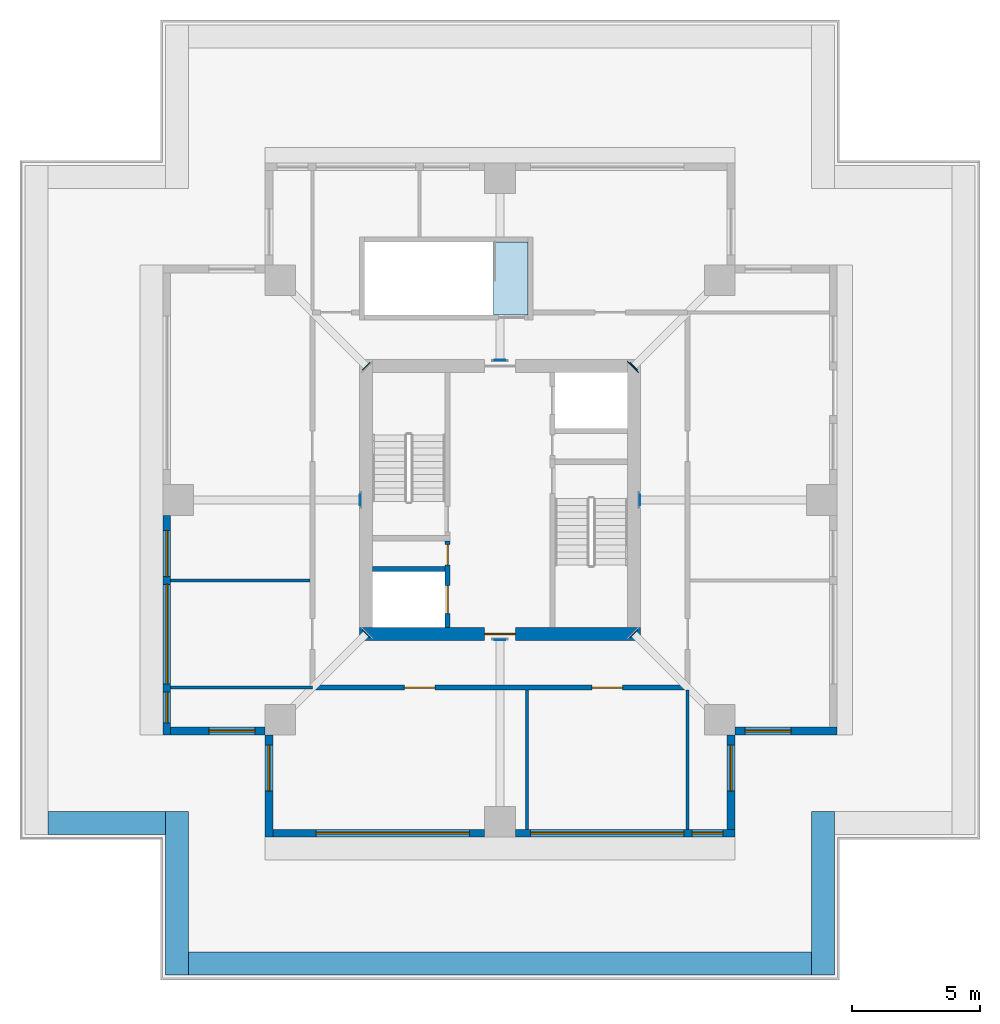
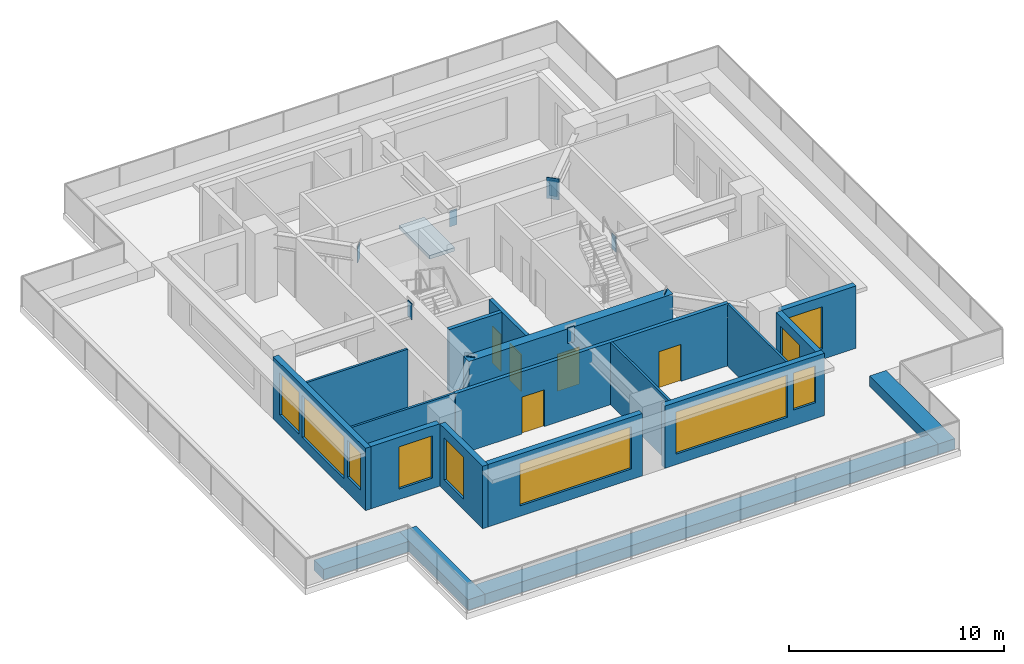
# One storey, part 3 of 8: 19 walls, 10 windows, 9 plates, 5 doors, 1 slab, 15 openings.
"""IFC4 building model written with IfcOpenShell, lengths in metres."""

from ifc_helpers import new_model, si_unit, direction, frame, frame_2d, origin, origin_2d, place, context, subcontext, project, spatial, polyline, rectangle, outline, extrude, material, layer, layer_set, type_object, element, fill, save


model = new_model("IFC4")

# Units and contexts
model_context = context("Model", 3, precision=1e-05, world=origin(), true_north=direction((0.0, 1.0)))
body_context = subcontext(model_context, "Body", "Model", "MODEL_VIEW")
ifc_project = project(units=[si_unit("LENGTHUNIT", "METRE"), si_unit("AREAUNIT", "SQUARE_METRE"), si_unit("VOLUMEUNIT", "CUBIC_METRE"), si_unit("PLANEANGLEUNIT", "RADIAN"), si_unit("MASSUNIT", "GRAM", prefix="KILO")], contexts=[model_context])

# Site, building, storey
site_placement = place(None, origin())
site = spatial("IfcSite", under=ifc_project, at=site_placement, CompositionType="ELEMENT")
building_placement = place(site_placement, origin())
building = spatial("IfcBuilding", under=site, at=building_placement, Name="Khepri Terraces", CompositionType="ELEMENT")
storey_placement = place(building_placement, frame((0.0, 0.0, 312.300048828125)))
storey = spatial("IfcBuildingStorey", under=building, at=storey_placement, Name="L75", CompositionType="ELEMENT", Elevation=312.300048828125)

# Plates
ifc_material_1 = material(Name="Steel S355", Category="steel")
ifc_layer_1 = layer(ifc_material_1, 0.030029296875, Name="Steel S355", Category="steel")
ifc_layer_set_1 = layer_set([ifc_layer_1], Name="Steel S355")
plate_type_1 = type_object("IfcPlateType", Name="Cast-in plate 1200x600x30", PredefinedType="USERDEFINED", material=ifc_layer_set_1)
plate_placement = place(storey_placement, frame((5.214599609375, 5.214599609375, 2.5498046875), z_axis=(0.0, 0.0, 1.0), x_axis=(0.707106781187, 0.707106781187, 0.0)))
element("IfcPlate", 1, at=plate_placement, inside=storey, type_object=plate_type_1, Name="CAST-IN PLATE CG-L75-EN MID wall A", ObjectType="CAST-IN PLATE", PredefinedType="USERDEFINED", context=body_context, shape_type="SweptSolid", body=[
    extrude(rectangle(XDim=0.030029296875, YDim=0.60009765625, at=origin_2d()), origin(), (0.0, 0.0, 1.0), 1.199951171875),
])
ifc_layer_2 = layer(ifc_material_1, 0.034912109375, Name="Steel S355", Category="steel")
ifc_layer_set_2 = layer_set([ifc_layer_2], Name="Steel S355")
plate_type_2 = type_object("IfcPlateType", Name="End plate 900x400x35", PredefinedType="USERDEFINED", material=ifc_layer_set_2)
for number, where, z_axis, x_axis, name in (
    (2, (0.0, -5.482421875, 2.699951171875), (0.0, 0.0, 1.0), (0.0, -1.0, 0.0), "END PLATE CG-L75-S MID end A"),
    (3, (5.482421875, 0.0, 2.699951171875), (0.0, 0.0, 1.0), (1.0, 0.0, 0.0), "END PLATE CG-L75-E MID end A"),
    (4, (0.0, 5.482421875, 2.699951171875), (0.0, 0.0, 1.0), (0.0, 1.0, 0.0), "END PLATE CG-L75-N MID end A"),
    (5, (-5.482421875, 0.0, 2.699951171875), (0.0, 0.0, 1.0), (-1.0, 0.0, 0.0), "END PLATE CG-L75-W MID end A"),
    (6, (5.237548828125, 5.237548828125, 2.699951171875), (0.0, 0.0, 1.0), (0.707106781187, 0.707106781187, 0.0), "END PLATE CG-L75-EN MID end A"),
    (7, (5.237548828125, -5.237548828125, 2.699951171875), (0.0, 0.0, 1.0), (0.707106781187, -0.707106781187, 0.0), "END PLATE CG-L75-ES MID end A"),
    (8, (-5.237548828125, 5.237548828125, 2.699951171875), (0.0, 0.0, 1.0), (-0.707106781187, 0.707106781187, 0.0), "END PLATE CG-L75-WN MID end A"),
    (9, (-5.237548828125, -5.237548828125, 2.699951171875), (0.0, 0.0, 1.0), (-0.707106781187, -0.707106781187, 0.0), "END PLATE CG-L75-WS MID end A"),
):
    element("IfcPlate", number, at=place(storey_placement, frame(where, z_axis=z_axis, x_axis=x_axis)), inside=storey, type_object=plate_type_2, Name=name, ObjectType="END PLATE", PredefinedType="USERDEFINED", context=body_context, shape_type="SweptSolid", body=[
        extrude(rectangle(XDim=0.034912109375, YDim=0.39990234375, at=origin_2d()), origin(), (0.0, 0.0, 1.0), 0.89990234375),
    ])

# Slab
ifc_material_2 = material(Name="Concrete C40/50", Category="concrete")
ifc_layer_3 = layer(ifc_material_2, 0.199951171875, Name="Concrete C40/50", Category="concrete")
ifc_layer_set_3 = layer_set([ifc_layer_3], Name="Concrete C40/50")
slab_type = type_object("IfcSlabType", Name="SLB-CORE-LANDING", PredefinedType="LANDING", material=ifc_layer_set_3)
slab_placement = place(storey_placement, frame((0.0, 0.0, -0.199951171875)))
element("IfcSlab", 10, at=slab_placement, inside=storey, type_object=slab_type, Name="ST-3 floor landing L75", PredefinedType="LANDING", context=body_context, shape_type="SweptSolid", body=[
    extrude(outline(polyline([(1.10009765625, 10.10009765625), (-0.25, 10.10009765625), (-0.25, 7.25), (1.10009765625, 7.25), (1.10009765625, 10.10009765625)])), origin(), (0.0, 0.0, 1.0), 0.199951171875),
])

# Wall, openings, doors
ifc_layer_4 = layer(ifc_material_2, 0.199951171875, Name="Concrete C40/50", Category="concrete")
ifc_layer_set_4 = layer_set([ifc_layer_4], Name="Concrete C40/50")
wall_type_1 = type_object("IfcWallType", Name="Core wall 200 C40/50", PredefinedType="SHEAR", material=ifc_layer_set_4)
wall_1_placement = place(storey_placement, frame((-2.050048828125, -5.0, 0.0), z_axis=(0.0, 0.0, 1.0), x_axis=(0.0, 1.0, 0.0)))
wall_1 = element("IfcWall", 11, at=wall_1_placement, inside=storey, type_object=wall_type_1, Name="Core wall SH01 L75", PredefinedType="SHEAR", context=body_context, shape_type="SweptSolid", body=[
    extrude(rectangle(XDim=3.39990234375, YDim=0.199951171875, at=frame_2d((1.699951171875, 0.0))), origin(), (0.0, 0.0, 1.0), 3.550048828125),
])
opening_1_placement = place(wall_1_placement, frame((0.550048828125, 0.0, 0.0)))
opening_1 = element("IfcOpeningElement", 12, at=opening_1_placement, cuts=wall_1, Name="Opening L75-C02", PredefinedType="OPENING", context=body_context, shape_type="SweptSolid", body=[
    extrude(rectangle(XDim=1.10009765625, YDim=2.10009765625, at=frame_2d((0.550048828125, 1.050048828125))), frame((0.0, 0.10986328125, 0.0), z_axis=(0.0, -1.0, 0.0), x_axis=(1.0, 0.0, 0.0)), (0.0, 0.0, 1.0), 0.219970703125),
])
opening_2_placement = place(wall_1_placement, frame((2.449951171875, 0.0, 0.0)))
opening_2 = element("IfcOpeningElement", 13, at=opening_2_placement, cuts=wall_1, Name="Opening L75-C06", PredefinedType="OPENING", context=body_context, shape_type="SweptSolid", body=[
    extrude(rectangle(XDim=0.800048828125, YDim=2.10009765625, at=frame_2d((0.39990234375, 1.050048828125))), frame((0.0, 0.10986328125, 0.0), z_axis=(0.0, -1.0, 0.0), x_axis=(1.0, 0.0, 0.0)), (0.0, 0.0, 1.0), 0.219970703125),
])
ifc_material_3 = material(Name="Stainless steel 304", Category="steel")
door_type_1 = type_object("IfcDoorType", Name="DR-CORE-FF-LANDING-1100", OperationType="NOTDEFINED", PredefinedType="DOOR", material=ifc_material_3)
door_1_placement = place(opening_1_placement, origin())
door_1 = element("IfcDoor", 14, at=door_1_placement, inside=storey, type_object=door_type_1, Name="Firefighting lift landing door L75-C02", OperationType="SLIDING_TO_LEFT", OverallHeight=2.10009765625, OverallWidth=1.10009765625, PredefinedType="DOOR", context=body_context, shape_type="SweptSolid", body=[
    extrude(rectangle(XDim=1.10009765625, YDim=2.10009765625, at=frame_2d((0.550048828125, 1.050048828125))), frame((0.0, 0.02490234375, 0.0), z_axis=(0.0, -1.0, 0.0), x_axis=(1.0, 0.0, 0.0)), (0.0, 0.0, 1.0), 0.050048828125),
])
fill(opening_1, door_1)
ifc_material_4 = material(Name="Painted steel", Category="steel")
door_type_2 = type_object("IfcDoorType", Name="DR-CORE-RISER-800", OperationType="NOTDEFINED", PredefinedType="DOOR", material=ifc_material_4)
door_2_placement = place(opening_2_placement, origin())
door_2 = element("IfcDoor", 15, at=door_2_placement, inside=storey, type_object=door_type_2, Name="Riser door L75-C06", OperationType="SINGLE_SWING_RIGHT", OverallHeight=2.10009765625, OverallWidth=0.800048828125, PredefinedType="DOOR", context=body_context, shape_type="SweptSolid", body=[
    extrude(rectangle(XDim=0.800048828125, YDim=2.10009765625, at=frame_2d((0.39990234375, 1.050048828125))), frame((0.0, 0.02490234375, 0.0), z_axis=(0.0, -1.0, 0.0), x_axis=(1.0, 0.0, 0.0)), (0.0, 0.0, 1.0), 0.050048828125),
])
fill(opening_2, door_2)

# Wall
wall_2_placement = place(storey_placement, frame((-5.0, -2.699951171875, 0.0), z_axis=(0.0, 0.0, 1.0), x_axis=(1.0, 0.0, 0.0)))
element("IfcWall", 16, at=wall_2_placement, inside=storey, type_object=wall_type_1, Name="Core wall SH02 L75", PredefinedType="SHEAR", context=body_context, shape_type="SweptSolid", body=[
    extrude(rectangle(XDim=2.85009765625, YDim=0.199951171875, at=frame_2d((1.425048828125, 0.0))), origin(), (0.0, 0.0, 1.0), 3.550048828125),
])

# Wall, opening, door
ifc_layer_5 = layer(ifc_material_2, 0.5, Name="Concrete C40/50", Category="concrete")
ifc_layer_set_5 = layer_set([ifc_layer_5], Name="Concrete C40/50")
wall_type_2 = type_object("IfcWallType", Name="Core wall 500 C40/50", PredefinedType="SHEAR", material=ifc_layer_set_5)
wall_3_placement = place(storey_placement, frame((-5.5, -5.25, 0.0), z_axis=(0.0, 0.0, 1.0), x_axis=(1.0, 0.0, 0.0)))
wall_3 = element("IfcWall", 17, at=wall_3_placement, inside=storey, type_object=wall_type_2, Name="Core wall BX01 L75", PredefinedType="SHEAR", context=body_context, shape_type="SweptSolid", body=[
    extrude(rectangle(XDim=11.0, YDim=0.5, at=frame_2d((5.5, 0.0))), origin(), (0.0, 0.0, 1.0), 3.550048828125),
])
opening_3_placement = place(wall_3_placement, frame((4.89990234375, 0.0, 0.0)))
opening_3 = element("IfcOpeningElement", 18, at=opening_3_placement, cuts=wall_3, Name="Opening L75-C09", PredefinedType="OPENING", context=body_context, shape_type="SweptSolid", body=[
    extrude(rectangle(XDim=1.199951171875, YDim=2.10009765625, at=frame_2d((0.60009765625, 1.050048828125))), frame((0.0, 0.260009765625, 0.0), z_axis=(0.0, -1.0, 0.0), x_axis=(1.0, 0.0, 0.0)), (0.0, 0.0, 1.0), 0.52001953125),
])
door_type_3 = type_object("IfcDoorType", Name="DR-CORE-FF-LOBBY-1200", OperationType="NOTDEFINED", PredefinedType="DOOR", material=ifc_material_4)
door_3_placement = place(opening_3_placement, frame((1.199951171875, 0.0, 0.0), z_axis=(0.0, 0.0, 1.0), x_axis=(-1.0, 0.0, 0.0)))
door_3 = element("IfcDoor", 19, at=door_3_placement, inside=storey, type_object=door_type_3, Name="Firefighting lobby door L75-C09", OperationType="SINGLE_SWING_LEFT", OverallHeight=2.10009765625, OverallWidth=1.199951171875, PredefinedType="DOOR", context=body_context, shape_type="SweptSolid", body=[
    extrude(rectangle(XDim=1.199951171875, YDim=2.10009765625, at=frame_2d((0.60009765625, 1.050048828125))), frame((0.0, 0.02490234375, 0.0), z_axis=(0.0, -1.0, 0.0), x_axis=(1.0, 0.0, 0.0)), (0.0, 0.0, 1.0), 0.050048828125),
])
fill(opening_3, door_3)

# Wall, openings, doors
ifc_material_5 = material(Name="Fire-rated gypsum plasterboard partition, mineral wool")
ifc_layer_6 = layer(ifc_material_5, 0.199951171875, Name="Fire-rated gypsum plasterboard partition, mineral wool")
ifc_layer_set_6 = layer_set([ifc_layer_6], Name="Fire-rated gypsum plasterboard partition, mineral wool")
wall_type_3 = type_object("IfcWallType", Name="WL-CORR-200", PredefinedType="PARTITIONING", material=ifc_layer_set_6)
wall_4_placement = place(storey_placement, frame((-7.35009765625, -7.35009765625, 0.0), z_axis=(0.0, 0.0, 1.0), x_axis=(1.0, 0.0, 0.0)))
wall_4 = element("IfcWall", 20, at=wall_4_placement, inside=storey, type_object=wall_type_3, Name="Partition P-004 L75", PredefinedType="PARTITIONING", context=body_context, shape_type="SweptSolid", body=[
    extrude(rectangle(XDim=14.7001953125, YDim=0.199951171875, at=frame_2d((7.35009765625, 0.0))), origin(), (0.0, 0.0, 1.0), 3.550048828125),
])
opening_4_placement = place(wall_4_placement, frame((3.60009765625, 0.0, 0.0)))
opening_4 = element("IfcOpeningElement", 21, at=opening_4_placement, cuts=wall_4, Name="Opening D6", PredefinedType="OPENING", context=body_context, shape_type="SweptSolid", body=[
    extrude(rectangle(XDim=1.199951171875, YDim=2.10009765625, at=frame_2d((0.60009765625, 1.050048828125))), frame((0.0, 0.10986328125, 0.0), z_axis=(0.0, -1.0, 0.0), x_axis=(1.0, 0.0, 0.0)), (0.0, 0.0, 1.0), 0.219970703125),
])
opening_5_placement = place(wall_4_placement, frame((10.949951171875, 0.0, 0.0)))
opening_5 = element("IfcOpeningElement", 22, at=opening_5_placement, cuts=wall_4, Name="Opening D6", PredefinedType="OPENING", context=body_context, shape_type="SweptSolid", body=[
    extrude(rectangle(XDim=1.199951171875, YDim=2.10009765625, at=frame_2d((0.60009765625, 1.050048828125))), frame((0.0, 0.10986328125, 0.0), z_axis=(0.0, -1.0, 0.0), x_axis=(1.0, 0.0, 0.0)), (0.0, 0.0, 1.0), 0.219970703125),
])
ifc_material_6 = material(Name="Timber door leaf, public room, fire-rated", Category="wood")
door_type_4 = type_object("IfcDoorType", Name="DR-PUB-1200", OperationType="NOTDEFINED", PredefinedType="DOOR", material=ifc_material_6)
door_4_placement = place(opening_4_placement, frame((1.199951171875, 0.0, 0.0), z_axis=(0.0, 0.0, 1.0), x_axis=(-1.0, 0.0, 0.0)))
door_4 = element("IfcDoor", 23, at=door_4_placement, inside=storey, type_object=door_type_4, Name="Door Wellness Studio", OperationType="SINGLE_SWING_RIGHT", OverallHeight=2.10009765625, OverallWidth=1.199951171875, PredefinedType="DOOR", context=body_context, shape_type="SweptSolid", body=[
    extrude(rectangle(XDim=1.199951171875, YDim=2.10009765625, at=frame_2d((0.60009765625, 1.050048828125))), frame((0.0, 0.02490234375, 0.0), z_axis=(0.0, -1.0, 0.0), x_axis=(1.0, 0.0, 0.0)), (0.0, 0.0, 1.0), 0.050048828125),
])
fill(opening_4, door_4)
door_5_placement = place(opening_5_placement, frame((1.199951171875, 0.0, 0.0), z_axis=(0.0, 0.0, 1.0), x_axis=(-1.0, 0.0, 0.0)))
door_5 = element("IfcDoor", 24, at=door_5_placement, inside=storey, type_object=door_type_4, Name="Door Spa Shower Room", OperationType="SINGLE_SWING_LEFT", OverallHeight=2.10009765625, OverallWidth=1.199951171875, PredefinedType="DOOR", context=body_context, shape_type="SweptSolid", body=[
    extrude(rectangle(XDim=1.199951171875, YDim=2.10009765625, at=frame_2d((0.60009765625, 1.050048828125))), frame((0.0, 0.02490234375, 0.0), z_axis=(0.0, -1.0, 0.0), x_axis=(1.0, 0.0, 0.0)), (0.0, 0.0, 1.0), 0.050048828125),
])
fill(opening_5, door_5)

# Wall, openings, windows
ifc_material_7 = material(Name="Precast concrete C50/60 warm stone", Category="masonry")
ifc_layer_7 = layer(ifc_material_7, 0.300048828125, Name="Precast concrete C50/60 warm stone", Category="masonry")
ifc_layer_set_7 = layer_set([ifc_layer_7], Name="Precast concrete C50/60 warm stone")
wall_type_4 = type_object("IfcWallType", Name="WL-EXT-PRECAST-300", PredefinedType="STANDARD", material=ifc_layer_set_7)
wall_5_placement = place(storey_placement, frame((-13.050048828125, -0.60009765625, 0.0), z_axis=(0.0, 0.0, 1.0), x_axis=(0.0, -1.0, 0.0)))
wall_5 = element("IfcWall", 25, at=wall_5_placement, inside=storey, type_object=wall_type_4, Name="External wall L75 W", PredefinedType="STANDARD", context=body_context, shape_type="SweptSolid", body=[
    extrude(rectangle(XDim=8.599853515625, YDim=0.300048828125, at=frame_2d((4.2998046875, 0.0))), origin(), (0.0, 0.0, 1.0), 3.550048828125),
])
opening_6_placement = place(wall_5_placement, frame((0.60009765625, 0.0, 0.60009765625)))
opening_6 = element("IfcOpeningElement", 26, at=opening_6_placement, cuts=wall_5, Name="Opening WC1", PredefinedType="OPENING", context=body_context, shape_type="SweptSolid", body=[
    extrude(rectangle(XDim=1.800048828125, YDim=2.39990234375, at=frame_2d((0.89990234375, 1.199951171875))), frame((0.0, 0.16015625, 0.0), z_axis=(0.0, -1.0, 0.0), x_axis=(1.0, 0.0, 0.0)), (0.0, 0.0, 1.0), 0.320068359375),
])
opening_7_placement = place(wall_5_placement, frame((2.699951171875, 0.0, 0.60009765625)))
opening_7 = element("IfcOpeningElement", 27, at=opening_7_placement, cuts=wall_5, Name="Opening WC2", PredefinedType="OPENING", context=body_context, shape_type="SweptSolid", body=[
    extrude(rectangle(XDim=3.89990234375, YDim=2.39990234375, at=frame_2d((1.949951171875, 1.199951171875))), frame((0.0, 0.16015625, 0.0), z_axis=(0.0, -1.0, 0.0), x_axis=(1.0, 0.0, 0.0)), (0.0, 0.0, 1.0), 0.320068359375),
])
opening_8_placement = place(wall_5_placement, frame((6.925048828125, 0.0, 0.89990234375)))
opening_8 = element("IfcOpeningElement", 28, at=opening_8_placement, cuts=wall_5, Name="Opening W4", PredefinedType="OPENING", context=body_context, shape_type="SweptSolid", body=[
    extrude(rectangle(XDim=1.199951171875, YDim=2.10009765625, at=frame_2d((0.60009765625, 1.050048828125))), frame((0.0, 0.16015625, 0.0), z_axis=(0.0, -1.0, 0.0), x_axis=(1.0, 0.0, 0.0)), (0.0, 0.0, 1.0), 0.320068359375),
])
ifc_material_8 = material(Name="Clear glass", Category="glass")
window_type_1 = type_object("IfcWindowType", Name="WIN-CRN-1800x2400", PartitioningType="SINGLE_PANEL", PredefinedType="WINDOW", material=ifc_material_8)
window_1_placement = place(opening_6_placement, origin())
window_1 = element("IfcWindow", 29, at=window_1_placement, inside=storey, type_object=window_type_1, Name="Window L75 W", OverallHeight=2.39990234375, OverallWidth=1.800048828125, PartitioningType="SINGLE_PANEL", PredefinedType="WINDOW", context=body_context, shape_type="SweptSolid", body=[
    extrude(rectangle(XDim=1.800048828125, YDim=2.39990234375, at=frame_2d((0.89990234375, 1.199951171875))), frame((0.0, 0.030029296875, 0.0), z_axis=(0.0, -1.0, 0.0), x_axis=(1.0, 0.0, 0.0)), (0.0, 0.0, 1.0), 0.06005859375),
])
fill(opening_6, window_1)
window_type_2 = type_object("IfcWindowType", Name="WIN-CRN-3900x2400", PartitioningType="SINGLE_PANEL", PredefinedType="WINDOW", material=ifc_material_8)
window_2_placement = place(opening_7_placement, origin())
window_2 = element("IfcWindow", 30, at=window_2_placement, inside=storey, type_object=window_type_2, Name="Window L75 W", OverallHeight=2.39990234375, OverallWidth=3.89990234375, PartitioningType="SINGLE_PANEL", PredefinedType="WINDOW", context=body_context, shape_type="SweptSolid", body=[
    extrude(rectangle(XDim=3.89990234375, YDim=2.39990234375, at=frame_2d((1.949951171875, 1.199951171875))), frame((0.0, 0.030029296875, 0.0), z_axis=(0.0, -1.0, 0.0), x_axis=(1.0, 0.0, 0.0)), (0.0, 0.0, 1.0), 0.06005859375),
])
fill(opening_7, window_2)
window_type_3 = type_object("IfcWindowType", Name="WIN-RES-1200x2100", PartitioningType="SINGLE_PANEL", PredefinedType="WINDOW", material=ifc_material_8)
window_3_placement = place(opening_8_placement, origin())
window_3 = element("IfcWindow", 31, at=window_3_placement, inside=storey, type_object=window_type_3, Name="Window L75 W", OverallHeight=2.10009765625, OverallWidth=1.199951171875, PartitioningType="SINGLE_PANEL", PredefinedType="WINDOW", context=body_context, shape_type="SweptSolid", body=[
    extrude(rectangle(XDim=1.199951171875, YDim=2.10009765625, at=frame_2d((0.60009765625, 1.050048828125))), frame((0.0, 0.030029296875, 0.0), z_axis=(0.0, -1.0, 0.0), x_axis=(1.0, 0.0, 0.0)), (0.0, 0.0, 1.0), 0.06005859375),
])
fill(opening_8, window_3)

# Wall, opening, window
wall_6_placement = place(storey_placement, frame((-12.89990234375, -9.050048828125, 0.0), z_axis=(0.0, 0.0, 1.0), x_axis=(1.0, 0.0, 0.0)))
wall_6 = element("IfcWall", 32, at=wall_6_placement, inside=storey, type_object=wall_type_4, Name="External wall L75 S", PredefinedType="STANDARD", context=body_context, shape_type="SweptSolid", body=[
    extrude(rectangle(XDim=3.699951171875, YDim=0.300048828125, at=frame_2d((1.85009765625, 0.0))), origin(), (0.0, 0.0, 1.0), 3.550048828125),
])
opening_9_placement = place(wall_6_placement, frame((1.5, 0.0, 0.60009765625)))
opening_9 = element("IfcOpeningElement", 33, at=opening_9_placement, cuts=wall_6, Name="Opening WC1", PredefinedType="OPENING", context=body_context, shape_type="SweptSolid", body=[
    extrude(rectangle(XDim=1.800048828125, YDim=2.39990234375, at=frame_2d((0.89990234375, 1.199951171875))), frame((0.0, 0.16015625, 0.0), z_axis=(0.0, -1.0, 0.0), x_axis=(1.0, 0.0, 0.0)), (0.0, 0.0, 1.0), 0.320068359375),
])
window_4_placement = place(opening_9_placement, origin())
window_4 = element("IfcWindow", 34, at=window_4_placement, inside=storey, type_object=window_type_1, Name="Window L75 S", OverallHeight=2.39990234375, OverallWidth=1.800048828125, PartitioningType="SINGLE_PANEL", PredefinedType="WINDOW", context=body_context, shape_type="SweptSolid", body=[
    extrude(rectangle(XDim=1.800048828125, YDim=2.39990234375, at=frame_2d((0.89990234375, 1.199951171875))), frame((0.0, 0.030029296875, 0.0), z_axis=(0.0, -1.0, 0.0), x_axis=(1.0, 0.0, 0.0)), (0.0, 0.0, 1.0), 0.06005859375),
])
fill(opening_9, window_4)

wall_7_placement = place(storey_placement, frame((-9.050048828125, -9.199951171875, 0.0), z_axis=(0.0, 0.0, 1.0), x_axis=(0.0, -1.0, 0.0)))
wall_7 = element("IfcWall", 35, at=wall_7_placement, inside=storey, type_object=wall_type_4, Name="External wall L75 W", PredefinedType="STANDARD", context=body_context, shape_type="SweptSolid", body=[
    extrude(rectangle(XDim=4.0, YDim=0.300048828125, at=frame_2d((2.0, 0.0))), origin(), (0.0, 0.0, 1.0), 3.550048828125),
])
opening_10_placement = place(wall_7_placement, frame((0.39990234375, 0.0, 0.60009765625)))
opening_10 = element("IfcOpeningElement", 36, at=opening_10_placement, cuts=wall_7, Name="Opening WC1", PredefinedType="OPENING", context=body_context, shape_type="SweptSolid", body=[
    extrude(rectangle(XDim=1.800048828125, YDim=2.39990234375, at=frame_2d((0.89990234375, 1.199951171875))), frame((0.0, 0.16015625, 0.0), z_axis=(0.0, -1.0, 0.0), x_axis=(1.0, 0.0, 0.0)), (0.0, 0.0, 1.0), 0.320068359375),
])
window_5_placement = place(opening_10_placement, origin())
window_5 = element("IfcWindow", 37, at=window_5_placement, inside=storey, type_object=window_type_1, Name="Window L75 W", OverallHeight=2.39990234375, OverallWidth=1.800048828125, PartitioningType="SINGLE_PANEL", PredefinedType="WINDOW", context=body_context, shape_type="SweptSolid", body=[
    extrude(rectangle(XDim=1.800048828125, YDim=2.39990234375, at=frame_2d((0.89990234375, 1.199951171875))), frame((0.0, 0.030029296875, 0.0), z_axis=(0.0, -1.0, 0.0), x_axis=(1.0, 0.0, 0.0)), (0.0, 0.0, 1.0), 0.06005859375),
])
fill(opening_10, window_5)

wall_8_placement = place(storey_placement, frame((-8.89990234375, -13.050048828125, 0.0), z_axis=(0.0, 0.0, 1.0), x_axis=(1.0, 0.0, 0.0)))
wall_8 = element("IfcWall", 38, at=wall_8_placement, inside=storey, type_object=wall_type_4, Name="External wall L75 S", PredefinedType="STANDARD", context=body_context, shape_type="SweptSolid", body=[
    extrude(rectangle(XDim=8.2998046875, YDim=0.300048828125, at=frame_2d((4.14990234375, 0.0))), origin(), (0.0, 0.0, 1.0), 3.550048828125),
])
opening_11_placement = place(wall_8_placement, frame((1.699951171875, 0.0, 0.60009765625)))
opening_11 = element("IfcOpeningElement", 39, at=opening_11_placement, cuts=wall_8, Name="Opening WC3", PredefinedType="OPENING", context=body_context, shape_type="SweptSolid", body=[
    extrude(rectangle(XDim=6.0, YDim=2.39990234375, at=frame_2d((3.0, 1.199951171875))), frame((0.0, 0.16015625, 0.0), z_axis=(0.0, -1.0, 0.0), x_axis=(1.0, 0.0, 0.0)), (0.0, 0.0, 1.0), 0.320068359375),
])
window_type_4 = type_object("IfcWindowType", Name="WIN-CRN-6000x2400", PartitioningType="SINGLE_PANEL", PredefinedType="WINDOW", material=ifc_material_8)
window_6_placement = place(opening_11_placement, origin())
window_6 = element("IfcWindow", 40, at=window_6_placement, inside=storey, type_object=window_type_4, Name="Window L75 S", OverallHeight=2.39990234375, OverallWidth=6.0, PartitioningType="SINGLE_PANEL", PredefinedType="WINDOW", context=body_context, shape_type="SweptSolid", body=[
    extrude(rectangle(XDim=6.0, YDim=2.39990234375, at=frame_2d((3.0, 1.199951171875))), frame((0.0, 0.030029296875, 0.0), z_axis=(0.0, -1.0, 0.0), x_axis=(1.0, 0.0, 0.0)), (0.0, 0.0, 1.0), 0.06005859375),
])
fill(opening_11, window_6)

# Wall, openings, windows
wall_9_placement = place(storey_placement, frame((0.60009765625, -13.050048828125, 0.0), z_axis=(0.0, 0.0, 1.0), x_axis=(1.0, 0.0, 0.0)))
wall_9 = element("IfcWall", 41, at=wall_9_placement, inside=storey, type_object=wall_type_4, Name="External wall L75 S", PredefinedType="STANDARD", context=body_context, shape_type="SweptSolid", body=[
    extrude(rectangle(XDim=8.599853515625, YDim=0.300048828125, at=frame_2d((4.2998046875, 0.0))), origin(), (0.0, 0.0, 1.0), 3.550048828125),
])
opening_12_placement = place(wall_9_placement, frame((0.60009765625, 0.0, 0.60009765625)))
opening_12 = element("IfcOpeningElement", 42, at=opening_12_placement, cuts=wall_9, Name="Opening WC3", PredefinedType="OPENING", context=body_context, shape_type="SweptSolid", body=[
    extrude(rectangle(XDim=6.0, YDim=2.39990234375, at=frame_2d((3.0, 1.199951171875))), frame((0.0, 0.16015625, 0.0), z_axis=(0.0, -1.0, 0.0), x_axis=(1.0, 0.0, 0.0)), (0.0, 0.0, 1.0), 0.320068359375),
])
opening_13_placement = place(wall_9_placement, frame((6.925048828125, 0.0, 0.89990234375)))
opening_13 = element("IfcOpeningElement", 43, at=opening_13_placement, cuts=wall_9, Name="Opening W4", PredefinedType="OPENING", context=body_context, shape_type="SweptSolid", body=[
    extrude(rectangle(XDim=1.199951171875, YDim=2.10009765625, at=frame_2d((0.60009765625, 1.050048828125))), frame((0.0, 0.16015625, 0.0), z_axis=(0.0, -1.0, 0.0), x_axis=(1.0, 0.0, 0.0)), (0.0, 0.0, 1.0), 0.320068359375),
])
window_7_placement = place(opening_12_placement, origin())
window_7 = element("IfcWindow", 44, at=window_7_placement, inside=storey, type_object=window_type_4, Name="Window L75 S", OverallHeight=2.39990234375, OverallWidth=6.0, PartitioningType="SINGLE_PANEL", PredefinedType="WINDOW", context=body_context, shape_type="SweptSolid", body=[
    extrude(rectangle(XDim=6.0, YDim=2.39990234375, at=frame_2d((3.0, 1.199951171875))), frame((0.0, 0.030029296875, 0.0), z_axis=(0.0, -1.0, 0.0), x_axis=(1.0, 0.0, 0.0)), (0.0, 0.0, 1.0), 0.06005859375),
])
fill(opening_12, window_7)
window_8_placement = place(opening_13_placement, origin())
window_8 = element("IfcWindow", 45, at=window_8_placement, inside=storey, type_object=window_type_3, Name="Window L75 S", OverallHeight=2.10009765625, OverallWidth=1.199951171875, PartitioningType="SINGLE_PANEL", PredefinedType="WINDOW", context=body_context, shape_type="SweptSolid", body=[
    extrude(rectangle(XDim=1.199951171875, YDim=2.10009765625, at=frame_2d((0.60009765625, 1.050048828125))), frame((0.0, 0.030029296875, 0.0), z_axis=(0.0, -1.0, 0.0), x_axis=(1.0, 0.0, 0.0)), (0.0, 0.0, 1.0), 0.06005859375),
])
fill(opening_13, window_8)

# Wall, opening, window
wall_10_placement = place(storey_placement, frame((9.050048828125, -12.89990234375, 0.0), z_axis=(0.0, 0.0, 1.0), x_axis=(0.0, 1.0, 0.0)))
wall_10 = element("IfcWall", 46, at=wall_10_placement, inside=storey, type_object=wall_type_4, Name="External wall L75 E", PredefinedType="STANDARD", context=body_context, shape_type="SweptSolid", body=[
    extrude(rectangle(XDim=3.699951171875, YDim=0.300048828125, at=frame_2d((1.85009765625, 0.0))), origin(), (0.0, 0.0, 1.0), 3.550048828125),
])
opening_14_placement = place(wall_10_placement, frame((1.5, 0.0, 0.60009765625)))
opening_14 = element("IfcOpeningElement", 47, at=opening_14_placement, cuts=wall_10, Name="Opening WC1", PredefinedType="OPENING", context=body_context, shape_type="SweptSolid", body=[
    extrude(rectangle(XDim=1.800048828125, YDim=2.39990234375, at=frame_2d((0.89990234375, 1.199951171875))), frame((0.0, 0.16015625, 0.0), z_axis=(0.0, -1.0, 0.0), x_axis=(1.0, 0.0, 0.0)), (0.0, 0.0, 1.0), 0.320068359375),
])
window_9_placement = place(opening_14_placement, origin())
window_9 = element("IfcWindow", 48, at=window_9_placement, inside=storey, type_object=window_type_1, Name="Window L75 E", OverallHeight=2.39990234375, OverallWidth=1.800048828125, PartitioningType="SINGLE_PANEL", PredefinedType="WINDOW", context=body_context, shape_type="SweptSolid", body=[
    extrude(rectangle(XDim=1.800048828125, YDim=2.39990234375, at=frame_2d((0.89990234375, 1.199951171875))), frame((0.0, 0.030029296875, 0.0), z_axis=(0.0, -1.0, 0.0), x_axis=(1.0, 0.0, 0.0)), (0.0, 0.0, 1.0), 0.06005859375),
])
fill(opening_14, window_9)

wall_11_placement = place(storey_placement, frame((9.199951171875, -9.050048828125, 0.0), z_axis=(0.0, 0.0, 1.0), x_axis=(1.0, 0.0, 0.0)))
wall_11 = element("IfcWall", 49, at=wall_11_placement, inside=storey, type_object=wall_type_4, Name="External wall L75 S", PredefinedType="STANDARD", context=body_context, shape_type="SweptSolid", body=[
    extrude(rectangle(XDim=4.0, YDim=0.300048828125, at=frame_2d((2.0, 0.0))), origin(), (0.0, 0.0, 1.0), 3.550048828125),
])
opening_15_placement = place(wall_11_placement, frame((0.39990234375, 0.0, 0.60009765625)))
opening_15 = element("IfcOpeningElement", 50, at=opening_15_placement, cuts=wall_11, Name="Opening WC1", PredefinedType="OPENING", context=body_context, shape_type="SweptSolid", body=[
    extrude(rectangle(XDim=1.800048828125, YDim=2.39990234375, at=frame_2d((0.89990234375, 1.199951171875))), frame((0.0, 0.16015625, 0.0), z_axis=(0.0, -1.0, 0.0), x_axis=(1.0, 0.0, 0.0)), (0.0, 0.0, 1.0), 0.320068359375),
])
window_10_placement = place(opening_15_placement, origin())
window_10 = element("IfcWindow", 51, at=window_10_placement, inside=storey, type_object=window_type_1, Name="Window L75 S", OverallHeight=2.39990234375, OverallWidth=1.800048828125, PartitioningType="SINGLE_PANEL", PredefinedType="WINDOW", context=body_context, shape_type="SweptSolid", body=[
    extrude(rectangle(XDim=1.800048828125, YDim=2.39990234375, at=frame_2d((0.89990234375, 1.199951171875))), frame((0.0, 0.030029296875, 0.0), z_axis=(0.0, -1.0, 0.0), x_axis=(1.0, 0.0, 0.0)), (0.0, 0.0, 1.0), 0.06005859375),
])
fill(opening_15, window_10)

# Walls
ifc_material_9 = material(Name="Gypsum plasterboard partition")
ifc_layer_8 = layer(ifc_material_9, 0.1201171875, Name="Gypsum plasterboard partition")
ifc_layer_set_8 = layer_set([ifc_layer_8], Name="Gypsum plasterboard partition")
wall_type_5 = type_object("IfcWallType", Name="WL-PART-120", PredefinedType="PARTITIONING", material=ifc_layer_set_8)
for number, where, z_axis, x_axis, name in (
    (52, (1.050048828125, -12.89990234375, 0.0), (0.0, 0.0, 1.0), (0.0, 1.0, 0.0), "Partition P-001 L75"),
    (53, (7.35009765625, -12.89990234375, 0.0), (0.0, 0.0, 1.0), (0.0, 1.0, 0.0), "Partition P-002 L75"),
):
    element("IfcWall", number, at=place(storey_placement, frame(where, z_axis=z_axis, x_axis=x_axis)), inside=storey, type_object=wall_type_5, Name=name, PredefinedType="PARTITIONING", context=body_context, shape_type="SweptSolid", body=[
        extrude(rectangle(XDim=5.449951171875, YDim=0.1201171875, at=frame_2d((2.72509765625, 0.0))), origin(), (0.0, 0.0, 1.0), 3.550048828125),
    ])
wall_12_placement = place(storey_placement, frame((-12.89990234375, -7.35009765625, 0.0), z_axis=(0.0, 0.0, 1.0), x_axis=(1.0, 0.0, 0.0)))
element("IfcWall", 54, at=wall_12_placement, inside=storey, type_object=wall_type_5, Name="Partition P-003 L75", PredefinedType="PARTITIONING", context=body_context, shape_type="SweptSolid", body=[
    extrude(rectangle(XDim=5.5498046875, YDim=0.1201171875, at=frame_2d((2.77490234375, 0.0))), origin(), (0.0, 0.0, 1.0), 3.550048828125),
])
wall_13_placement = place(storey_placement, frame((-12.89990234375, -3.14990234375, 0.0), z_axis=(0.0, 0.0, 1.0), x_axis=(1.0, 0.0, 0.0)))
element("IfcWall", 55, at=wall_13_placement, inside=storey, type_object=wall_type_5, Name="Partition P-007 L75", PredefinedType="PARTITIONING", context=body_context, shape_type="SweptSolid", body=[
    extrude(rectangle(XDim=5.449951171875, YDim=0.1201171875, at=frame_2d((2.72509765625, 0.0))), origin(), (0.0, 0.0, 1.0), 3.550048828125),
])
ifc_layer_9 = layer(ifc_material_7, 0.89990234375, Name="Precast concrete C50/60 warm stone", Category="masonry")
ifc_layer_set_9 = layer_set([ifc_layer_9], Name="Precast concrete C50/60 warm stone")
wall_type_6 = type_object("IfcWallType", Name="WL-PLANTER-900", PredefinedType="MOVABLE", material=ifc_layer_set_9)
wall_14_placement = place(storey_placement, frame((-17.699951171875, -12.64990234375, 0.0), z_axis=(0.0, 0.0, 1.0), x_axis=(1.0, 0.0, 0.0)))
element("IfcWall", 56, at=wall_14_placement, inside=storey, type_object=wall_type_6, Name="Planter L75", PredefinedType="MOVABLE", context=body_context, shape_type="SweptSolid", body=[
    extrude(rectangle(XDim=4.599853515625, YDim=0.89990234375, at=frame_2d((2.2998046875, 0.0))), origin(), (0.0, 0.0, 1.0), 0.599853515625),
])
wall_15_placement = place(storey_placement, frame((-12.64990234375, -18.60009765625, 0.0), z_axis=(0.0, 0.0, 1.0), x_axis=(0.0, 1.0, 0.0)))
element("IfcWall", 57, at=wall_15_placement, inside=storey, type_object=wall_type_6, Name="Planter L75", PredefinedType="MOVABLE", context=body_context, shape_type="SweptSolid", body=[
    extrude(rectangle(XDim=6.400146484375, YDim=0.89990234375, at=frame_2d((3.2001953125, 0.0))), origin(), (0.0, 0.0, 1.0), 0.599853515625),
])
wall_16_placement = place(storey_placement, frame((-12.199951171875, -18.14990234375, 0.0), z_axis=(0.0, 0.0, 1.0), x_axis=(1.0, 0.0, 0.0)))
element("IfcWall", 58, at=wall_16_placement, inside=storey, type_object=wall_type_6, Name="Planter L75", PredefinedType="MOVABLE", context=body_context, shape_type="SweptSolid", body=[
    extrude(rectangle(XDim=24.39990234375, YDim=0.89990234375, at=frame_2d((12.199951171875, 0.0))), origin(), (0.0, 0.0, 1.0), 0.599853515625),
])
wall_17_placement = place(storey_placement, frame((12.64990234375, -18.60009765625, 0.0), z_axis=(0.0, 0.0, 1.0), x_axis=(0.0, 1.0, 0.0)))
element("IfcWall", 59, at=wall_17_placement, inside=storey, type_object=wall_type_6, Name="Planter L75", PredefinedType="MOVABLE", context=body_context, shape_type="SweptSolid", body=[
    extrude(rectangle(XDim=6.400146484375, YDim=0.89990234375, at=frame_2d((3.2001953125, 0.0))), origin(), (0.0, 0.0, 1.0), 0.599853515625),
])

save(model, "model.ifc")
